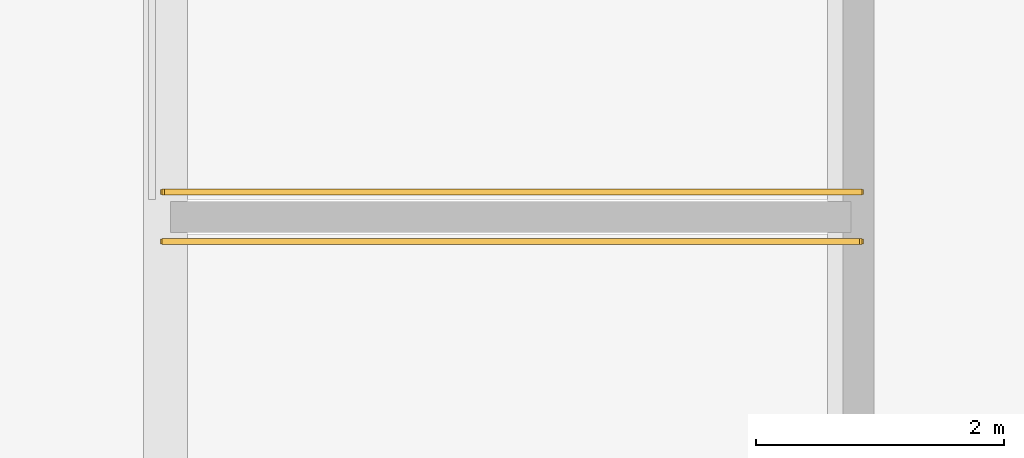
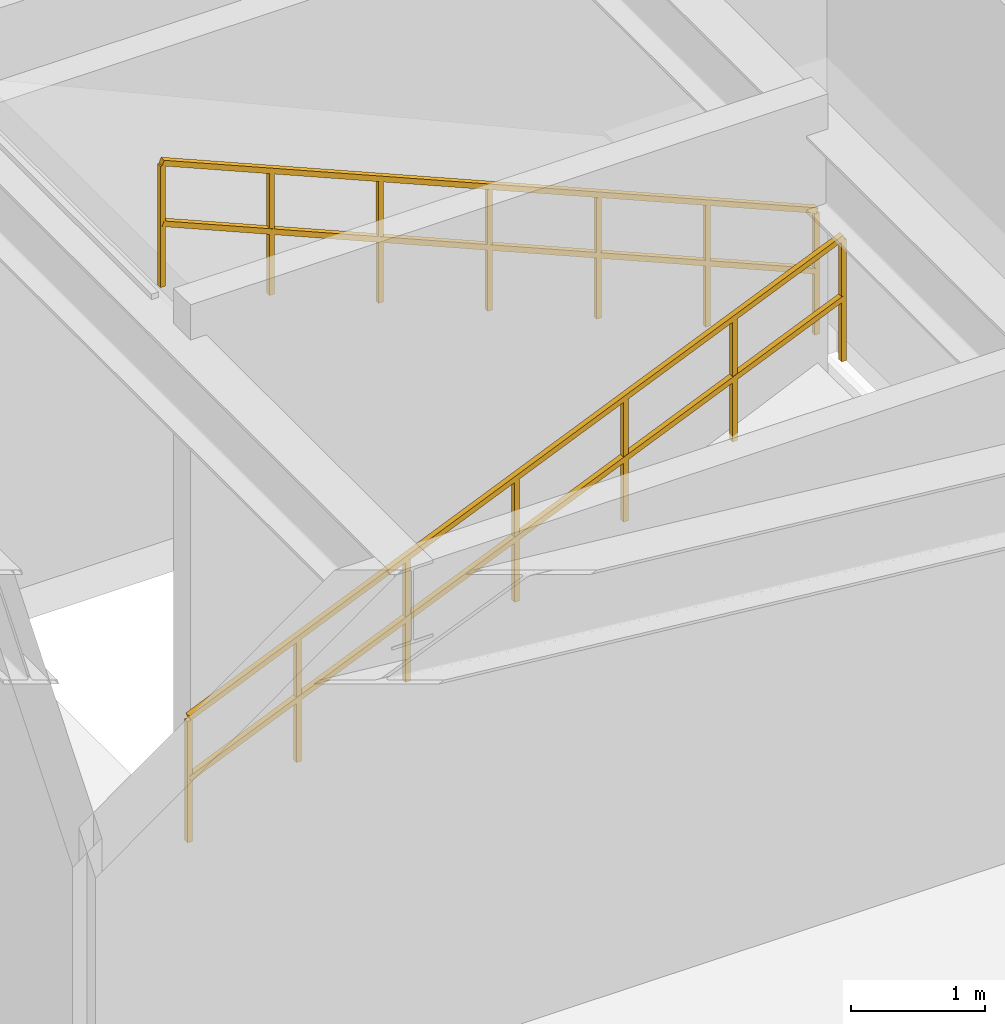
# One storey, part 9 of 9: 2 railings.
"""IFC4 building model written with IfcOpenShell, lengths in metres."""

from ifc_helpers import new_model, si_unit, direction, frame, origin, origin_2d, place, context, subcontext, project, spatial, rectangle, extrude, material, type_object, element, save


model = new_model("IFC4")

# Units and contexts
model_context = context("Model", 3, precision=1e-05, world=origin(), true_north=direction((0.0, 1.0)))
body_context = subcontext(model_context, "Body", "Model", "MODEL_VIEW")
ifc_project = project(units=[si_unit("LENGTHUNIT", "METRE"), si_unit("AREAUNIT", "SQUARE_METRE"), si_unit("VOLUMEUNIT", "CUBIC_METRE"), si_unit("PLANEANGLEUNIT", "RADIAN"), si_unit("MASSUNIT", "GRAM", prefix="KILO")], contexts=[model_context])

# Site, building, storey
site_placement = place(None, origin())
site = spatial("IfcSite", under=ifc_project, at=site_placement, CompositionType="ELEMENT")
building_placement = place(site_placement, origin())
building = spatial("IfcBuilding", under=site, at=building_placement, Name="Varnel Quay Broadcast Tower", CompositionType="ELEMENT")
storey_placement = place(building_placement, frame((0.0, 0.0, -4.800048828125)))
storey = spatial("IfcBuildingStorey", under=building, at=storey_placement, Name="B1", CompositionType="ELEMENT", Elevation=-4.800048828125)

# Railings
ifc_material = material(Name="Anodised Bronze Aluminium 6063-T6", Category="aluminium")
railing_type = type_object("IfcRailingType", Name="Rail_Balustrade1150", PredefinedType="BALUSTRADE", material=ifc_material)
railing_1_placement = place(storey_placement, frame((60.02001953125, 30.219970703125, 4.800048828125)))
element("IfcRailing", 1, at=railing_1_placement, inside=storey, type_object=railing_type, Name="B1 Vehicle Ramp Upper Flight Guard", PredefinedType="BALUSTRADE", context=body_context, shape_type="SweptSolid", body=[
    extrude(rectangle(XDim=0.048095703125, YDim=0.048095703125, at=origin_2d()), frame((0.0, 0.0, 1.1259765625), z_axis=(0.919654679425, 0.0, -0.392727985523), x_axis=(0.0, 1.0, 0.0)), (0.0, 0.0, 1.0), 6.11083984375),
    extrude(rectangle(XDim=0.048095703125, YDim=0.048095703125, at=origin_2d()), frame((0.0, 0.0, 0.574951171875), z_axis=(0.919654679425, 0.0, -0.392727985523), x_axis=(0.0, 1.0, 0.0)), (0.0, 0.0, 1.0), 6.11083984375),
    extrude(rectangle(XDim=0.0419921875, YDim=0.0419921875, at=origin_2d()), origin(), (0.0, 0.0, 1.0), 1.101806640625),
    extrude(rectangle(XDim=0.0419921875, YDim=0.0419921875, at=origin_2d()), frame((0.9365234375, 0.0, -0.39990234375)), (0.0, 0.0, 1.0), 1.101806640625),
    extrude(rectangle(XDim=0.0419921875, YDim=0.0419921875, at=origin_2d()), frame((1.873291015625, 0.0, -0.800048828125)), (0.0, 0.0, 1.0), 1.101806640625),
    extrude(rectangle(XDim=0.0419921875, YDim=0.0419921875, at=origin_2d()), frame((2.81005859375, 0.0, -1.199951171875)), (0.0, 0.0, 1.0), 1.101806640625),
    extrude(rectangle(XDim=0.0419921875, YDim=0.0419921875, at=origin_2d()), frame((3.74658203125, 0.0, -1.599853515625)), (0.0, 0.0, 1.0), 1.101806640625),
    extrude(rectangle(XDim=0.0419921875, YDim=0.0419921875, at=origin_2d()), frame((4.68310546875, 0.0, -2.0)), (0.0, 0.0, 1.0), 1.101806640625),
    extrude(rectangle(XDim=0.0419921875, YDim=0.0419921875, at=origin_2d()), frame((5.619873046875, 0.0, -2.39990234375)), (0.0, 0.0, 1.0), 1.101806640625),
])
railing_2_placement = place(storey_placement, frame((65.639892578125, 29.820068359375, 2.400146484375)))
element("IfcRailing", 2, at=railing_2_placement, inside=storey, type_object=railing_type, Name="B1 Vehicle Ramp Lower Flight Guard", PredefinedType="BALUSTRADE", context=body_context, shape_type="SweptSolid", body=[
    extrude(rectangle(XDim=0.048095703125, YDim=0.048095703125, at=origin_2d()), frame((0.0, 0.0, 1.1259765625), z_axis=(-0.919640249408, 0.0, -0.392761774705), x_axis=(0.0, -1.0, 0.0)), (0.0, 0.0, 1.0), 6.11083984375),
    extrude(rectangle(XDim=0.048095703125, YDim=0.048095703125, at=origin_2d()), frame((0.0, 0.0, 0.574951171875), z_axis=(-0.919640249408, 0.0, -0.392761774705), x_axis=(0.0, -1.0, 0.0)), (0.0, 0.0, 1.0), 6.11083984375),
    extrude(rectangle(XDim=0.0419921875, YDim=0.0419921875, at=origin_2d()), origin(), (0.0, 0.0, 1.0), 1.101806640625),
    extrude(rectangle(XDim=0.0419921875, YDim=0.0419921875, at=origin_2d()), frame((-0.9365234375, 0.0, -0.39990234375)), (0.0, 0.0, 1.0), 1.101806640625),
    extrude(rectangle(XDim=0.0419921875, YDim=0.0419921875, at=origin_2d()), frame((-1.873291015625, 0.0, -0.800048828125)), (0.0, 0.0, 1.0), 1.101806640625),
    extrude(rectangle(XDim=0.0419921875, YDim=0.0419921875, at=origin_2d()), frame((-2.81005859375, 0.0, -1.2001953125)), (0.0, 0.0, 1.0), 1.101806640625),
    extrude(rectangle(XDim=0.0419921875, YDim=0.0419921875, at=origin_2d()), frame((-3.74658203125, 0.0, -1.60009765625)), (0.0, 0.0, 1.0), 1.101806640625),
    extrude(rectangle(XDim=0.0419921875, YDim=0.0419921875, at=origin_2d()), frame((-4.68310546875, 0.0, -2.0)), (0.0, 0.0, 1.0), 1.101806640625),
    extrude(rectangle(XDim=0.0419921875, YDim=0.0419921875, at=origin_2d()), frame((-5.619873046875, 0.0, -2.400146484375)), (0.0, 0.0, 1.0), 1.101806640625),
])

save(model, "model.ifc")
